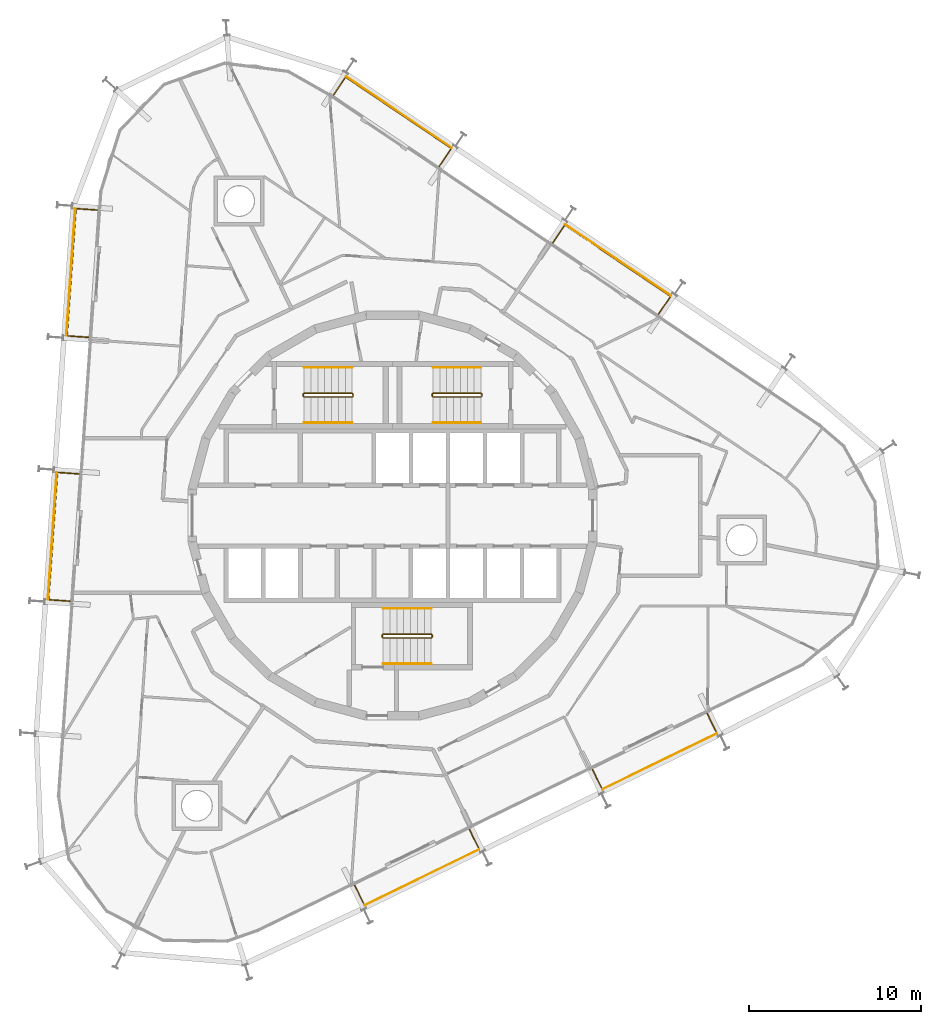
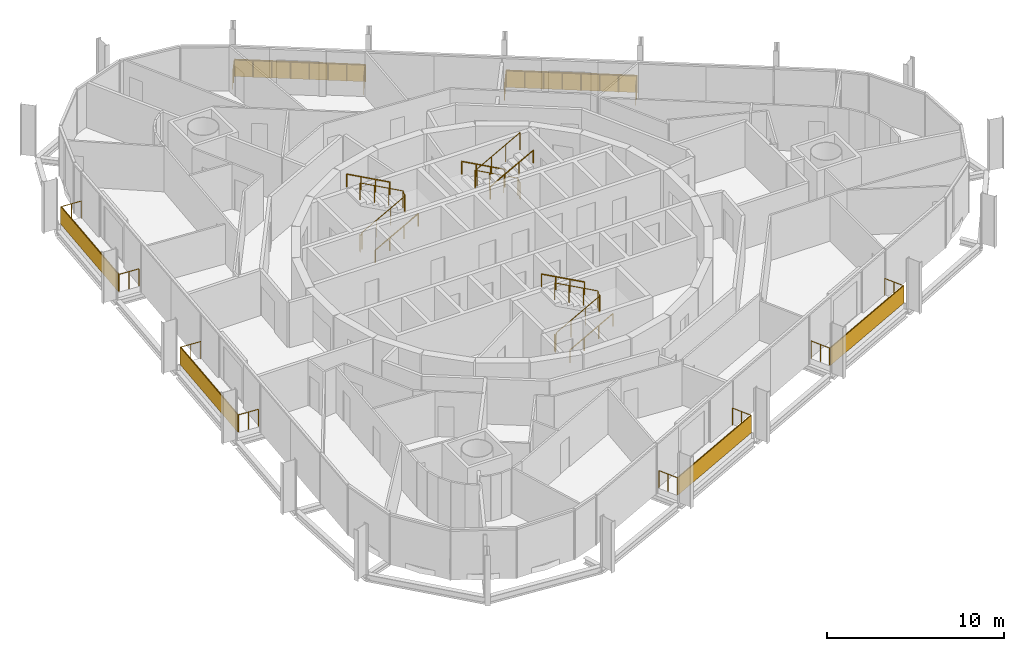
# One storey, part 18 of 18: 15 railings, 6 shading devices.
"""IFC4 building model written with IfcOpenShell, lengths in metres."""

from ifc_helpers import new_model, si_unit, direction, frame, origin, origin_2d, place, context, subcontext, project, spatial, rectangle, circle, extrude, material, layer, layer_set, type_object, element, save


model = new_model("IFC4")

# Units and contexts
model_context = context("Model", 3, precision=1e-05, world=origin(), true_north=direction((0.0, 1.0)))
body_context = subcontext(model_context, "Body", "Model", "MODEL_VIEW")
ifc_project = project(units=[si_unit("LENGTHUNIT", "METRE"), si_unit("AREAUNIT", "SQUARE_METRE"), si_unit("VOLUMEUNIT", "CUBIC_METRE"), si_unit("PLANEANGLEUNIT", "RADIAN"), si_unit("MASSUNIT", "GRAM", prefix="KILO")], contexts=[model_context])

# Site, building, storey
site_placement = place(None, origin())
site = spatial("IfcSite", under=ifc_project, at=site_placement, CompositionType="ELEMENT")
building_placement = place(site_placement, origin())
building = spatial("IfcBuilding", under=site, at=building_placement, Name="Spindle Arch Residences", CompositionType="ELEMENT")
storey_placement = place(building_placement, frame((0.0, 0.0, 195.39990234375)))
storey = spatial("IfcBuildingStorey", under=building, at=storey_placement, Name="L49", CompositionType="ELEMENT", Elevation=195.39990234375)

# Railings
ifc_material_1 = material(Name="Bronze anodised aluminium guard with glass infill", Category="aluminium")
railing_type_1 = type_object("IfcRailingType", Name="Balcony guard 1200", PredefinedType="GUARDRAIL", material=ifc_material_1)
railing_1_placement = place(storey_placement, frame((11.632080078125, -14.76611328125, 0.0)))
element("IfcRailing", 1, at=railing_1_placement, inside=storey, type_object=railing_type_1, Name="Guard L49 bay 1", PredefinedType="GUARDRAIL", context=body_context, shape_type="SweptSolid", body=[
    extrude(circle(Radius=0.02392578125, at=origin_2d()), frame((0.0, 0.0, 1.17578125), z_axis=(0.438362050684, -0.898798482709, 0.0), x_axis=(0.898798482709, 0.438362050684, 0.0)), (0.0, 0.0, 1.0), 1.249755859375),
    extrude(circle(Radius=0.02392578125, at=origin_2d()), frame((0.5478515625, -1.123291015625, 1.17578125), z_axis=(0.898809845561, 0.438338752021, 0.0), x_axis=(-0.438338752021, 0.898809845561, 0.0)), (0.0, 0.0, 1.0), 7.423828125),
    extrude(circle(Radius=0.02392578125, at=origin_2d()), frame((7.220458984375, 2.130859375, 1.17578125), z_axis=(-0.438442870742, 0.898759060647, 0.0), x_axis=(-0.898759060647, -0.438442870742, 0.0)), (0.0, 0.0, 1.0), 1.25),
    extrude(circle(Radius=0.02099609375, at=origin_2d()), origin(), (0.0, 0.0, 1.0), 1.15185546875),
    extrude(circle(Radius=0.02099609375, at=origin_2d()), frame((0.27392578125, -0.5615234375, 0.0)), (0.0, 0.0, 1.0), 1.15185546875),
    extrude(circle(Radius=0.02099609375, at=origin_2d()), frame((0.5478515625, -1.123291015625, 0.0)), (0.0, 0.0, 1.0), 1.15185546875),
    extrude(circle(Radius=0.02099609375, at=origin_2d()), frame((1.5009765625, -0.658447265625, 0.0)), (0.0, 0.0, 1.0), 1.15185546875),
    extrude(circle(Radius=0.02099609375, at=origin_2d()), frame((2.454345703125, -0.193603515625, 0.0)), (0.0, 0.0, 1.0), 1.15185546875),
    extrude(circle(Radius=0.02099609375, at=origin_2d()), frame((3.407470703125, 0.271240234375, 0.0)), (0.0, 0.0, 1.0), 1.15185546875),
    extrude(circle(Radius=0.02099609375, at=origin_2d()), frame((4.36083984375, 0.736328125, 0.0)), (0.0, 0.0, 1.0), 1.15185546875),
    extrude(circle(Radius=0.02099609375, at=origin_2d()), frame((5.31396484375, 1.201171875, 0.0)), (0.0, 0.0, 1.0), 1.15185546875),
    extrude(circle(Radius=0.02099609375, at=origin_2d()), frame((6.267333984375, 1.666015625, 0.0)), (0.0, 0.0, 1.0), 1.15185546875),
    extrude(circle(Radius=0.02099609375, at=origin_2d()), frame((7.220458984375, 2.130859375, 0.0)), (0.0, 0.0, 1.0), 1.15185546875),
    extrude(circle(Radius=0.02099609375, at=origin_2d()), frame((6.9462890625, 2.692626953125, 0.0)), (0.0, 0.0, 1.0), 1.15185546875),
    extrude(circle(Radius=0.02099609375, at=origin_2d()), frame((6.67236328125, 3.25439453125, 0.0)), (0.0, 0.0, 1.0), 1.15185546875),
])
railing_2_placement = place(storey_placement, frame((15.47607421875, 11.72021484375, 0.0)))
element("IfcRailing", 2, at=railing_2_placement, inside=storey, type_object=railing_type_1, Name="Guard L49 bay 7", PredefinedType="GUARDRAIL", context=body_context, shape_type="SweptSolid", body=[
    extrude(circle(Radius=0.02392578125, at=origin_2d()), frame((0.0, 0.0, 1.17578125), z_axis=(0.559288375298, 0.828973167996, 0.0), x_axis=(-0.828973167996, 0.559288375298, 0.0)), (0.0, 0.0, 1.0), 1.250244140625),
    extrude(circle(Radius=0.02392578125, at=origin_2d()), frame((0.69921875, 1.036376953125, 1.17578125), z_axis=(-0.829032773144, 0.559200018824, 0.0), x_axis=(-0.559200018824, -0.829032773144, 0.0)), (0.0, 0.0, 1.0), 7.423828125),
    extrude(circle(Radius=0.02392578125, at=origin_2d()), frame((-5.455322265625, 5.187744140625, 1.17578125), z_axis=(-0.559154156027, -0.829063706718, 0.0), x_axis=(0.829063706718, -0.559154156027, 0.0)), (0.0, 0.0, 1.0), 1.25),
    extrude(circle(Radius=0.02099609375, at=origin_2d()), origin(), (0.0, 0.0, 1.0), 1.15185546875),
    extrude(circle(Radius=0.02099609375, at=origin_2d()), frame((0.349609375, 0.51806640625, 0.0)), (0.0, 0.0, 1.0), 1.15185546875),
    extrude(circle(Radius=0.02099609375, at=origin_2d()), frame((0.69921875, 1.036376953125, 0.0)), (0.0, 0.0, 1.0), 1.15185546875),
    extrude(circle(Radius=0.02099609375, at=origin_2d()), frame((-0.179931640625, 1.62939453125, 0.0)), (0.0, 0.0, 1.0), 1.15185546875),
    extrude(circle(Radius=0.02099609375, at=origin_2d()), frame((-1.059326171875, 2.222412109375, 0.0)), (0.0, 0.0, 1.0), 1.15185546875),
    extrude(circle(Radius=0.02099609375, at=origin_2d()), frame((-1.9384765625, 2.8154296875, 0.0)), (0.0, 0.0, 1.0), 1.15185546875),
    extrude(circle(Radius=0.02099609375, at=origin_2d()), frame((-2.817626953125, 3.40869140625, 0.0)), (0.0, 0.0, 1.0), 1.15185546875),
    extrude(circle(Radius=0.02099609375, at=origin_2d()), frame((-3.69677734375, 4.001708984375, 0.0)), (0.0, 0.0, 1.0), 1.15185546875),
    extrude(circle(Radius=0.02099609375, at=origin_2d()), frame((-4.576171875, 4.5947265625, 0.0)), (0.0, 0.0, 1.0), 1.15185546875),
    extrude(circle(Radius=0.02099609375, at=origin_2d()), frame((-5.455322265625, 5.187744140625, 0.0)), (0.0, 0.0, 1.0), 1.15185546875),
    extrude(circle(Radius=0.02099609375, at=origin_2d()), frame((-5.8046875, 4.66943359375, 0.0)), (0.0, 0.0, 1.0), 1.15185546875),
    extrude(circle(Radius=0.02099609375, at=origin_2d()), frame((-6.154296875, 4.1513671875, 0.0)), (0.0, 0.0, 1.0), 1.15185546875),
])
railing_3_placement = place(storey_placement, frame((2.719482421875, 20.324951171875, 0.0)))
element("IfcRailing", 3, at=railing_3_placement, inside=storey, type_object=railing_type_1, Name="Guard L49 bay 9", PredefinedType="GUARDRAIL", context=body_context, shape_type="SweptSolid", body=[
    extrude(circle(Radius=0.02392578125, at=origin_2d()), frame((0.0, 0.0, 1.17578125), z_axis=(0.559244705098, 0.829002629562, 0.0), x_axis=(-0.829002629562, 0.559244705098, 0.0)), (0.0, 0.0, 1.0), 1.249755859375),
    extrude(circle(Radius=0.02392578125, at=origin_2d()), frame((0.698974609375, 1.0361328125, 1.17578125), z_axis=(-0.829032773144, 0.559200018824, 0.0), x_axis=(-0.559200018824, -0.829032773144, 0.0)), (0.0, 0.0, 1.0), 7.423828125),
    extrude(circle(Radius=0.02392578125, at=origin_2d()), frame((-5.45556640625, 5.1875, 1.17578125), z_axis=(-0.559154156027, -0.829063706718, 0.0), x_axis=(0.829063706718, -0.559154156027, 0.0)), (0.0, 0.0, 1.0), 1.25),
    extrude(circle(Radius=0.02099609375, at=origin_2d()), origin(), (0.0, 0.0, 1.0), 1.15185546875),
    extrude(circle(Radius=0.02099609375, at=origin_2d()), frame((0.349609375, 0.51806640625, 0.0)), (0.0, 0.0, 1.0), 1.15185546875),
    extrude(circle(Radius=0.02099609375, at=origin_2d()), frame((0.698974609375, 1.0361328125, 0.0)), (0.0, 0.0, 1.0), 1.15185546875),
    extrude(circle(Radius=0.02099609375, at=origin_2d()), frame((-0.18017578125, 1.629150390625, 0.0)), (0.0, 0.0, 1.0), 1.15185546875),
    extrude(circle(Radius=0.02099609375, at=origin_2d()), frame((-1.0595703125, 2.22216796875, 0.0)), (0.0, 0.0, 1.0), 1.15185546875),
    extrude(circle(Radius=0.02099609375, at=origin_2d()), frame((-1.938720703125, 2.815185546875, 0.0)), (0.0, 0.0, 1.0), 1.15185546875),
    extrude(circle(Radius=0.02099609375, at=origin_2d()), frame((-2.81787109375, 3.408447265625, 0.0)), (0.0, 0.0, 1.0), 1.15185546875),
    extrude(circle(Radius=0.02099609375, at=origin_2d()), frame((-3.697021484375, 4.00146484375, 0.0)), (0.0, 0.0, 1.0), 1.15185546875),
    extrude(circle(Radius=0.02099609375, at=origin_2d()), frame((-4.576416015625, 4.594482421875, 0.0)), (0.0, 0.0, 1.0), 1.15185546875),
    extrude(circle(Radius=0.02099609375, at=origin_2d()), frame((-5.45556640625, 5.1875, 0.0)), (0.0, 0.0, 1.0), 1.15185546875),
    extrude(circle(Radius=0.02099609375, at=origin_2d()), frame((-5.80517578125, 4.66943359375, 0.0)), (0.0, 0.0, 1.0), 1.15185546875),
    extrude(circle(Radius=0.02099609375, at=origin_2d()), frame((-6.154541015625, 4.151123046875, 0.0)), (0.0, 0.0, 1.0), 1.15185546875),
])
railing_4_placement = place(storey_placement, frame((-17.172607421875, 17.77587890625, 0.0)))
element("IfcRailing", 4, at=railing_4_placement, inside=storey, type_object=railing_type_1, Name="Guard L49 bay 13", PredefinedType="GUARDRAIL", context=body_context, shape_type="SweptSolid", body=[
    extrude(circle(Radius=0.02392578125, at=origin_2d()), frame((0.0, 0.0, 1.17578125), z_axis=(-0.997566579437, 0.069720295391, 0.0), x_axis=(-0.069720295391, -0.997566579437, 0.0)), (0.0, 0.0, 1.0), 1.25),
    extrude(circle(Radius=0.02392578125, at=origin_2d()), frame((-1.2470703125, 0.087158203125, 1.17578125), z_axis=(-0.069753528744, -0.99756425619, 0.0), x_axis=(0.99756425619, -0.069753528744, 0.0)), (0.0, 0.0, 1.0), 7.423583984375),
    extrude(circle(Radius=0.02392578125, at=origin_2d()), frame((-1.764892578125, -7.318359375, 1.17578125), z_axis=(0.997566579437, -0.069720295391, 0.0), x_axis=(0.069720295391, 0.997566579437, 0.0)), (0.0, 0.0, 1.0), 1.25),
    extrude(circle(Radius=0.02099609375, at=origin_2d()), origin(), (0.0, 0.0, 1.0), 1.15185546875),
    extrude(circle(Radius=0.02099609375, at=origin_2d()), frame((-0.62353515625, 0.04345703125, 0.0)), (0.0, 0.0, 1.0), 1.15185546875),
    extrude(circle(Radius=0.02099609375, at=origin_2d()), frame((-1.2470703125, 0.087158203125, 0.0)), (0.0, 0.0, 1.0), 1.15185546875),
    extrude(circle(Radius=0.02099609375, at=origin_2d()), frame((-1.321044921875, -0.970703125, 0.0)), (0.0, 0.0, 1.0), 1.15185546875),
    extrude(circle(Radius=0.02099609375, at=origin_2d()), frame((-1.39501953125, -2.02880859375, 0.0)), (0.0, 0.0, 1.0), 1.15185546875),
    extrude(circle(Radius=0.02099609375, at=origin_2d()), frame((-1.468994140625, -3.086669921875, 0.0)), (0.0, 0.0, 1.0), 1.15185546875),
    extrude(circle(Radius=0.02099609375, at=origin_2d()), frame((-1.54296875, -4.14453125, 0.0)), (0.0, 0.0, 1.0), 1.15185546875),
    extrude(circle(Radius=0.02099609375, at=origin_2d()), frame((-1.616943359375, -5.202392578125, 0.0)), (0.0, 0.0, 1.0), 1.15185546875),
    extrude(circle(Radius=0.02099609375, at=origin_2d()), frame((-1.69091796875, -6.260498046875, 0.0)), (0.0, 0.0, 1.0), 1.15185546875),
    extrude(circle(Radius=0.02099609375, at=origin_2d()), frame((-1.764892578125, -7.318359375, 0.0)), (0.0, 0.0, 1.0), 1.15185546875),
    extrude(circle(Radius=0.02099609375, at=origin_2d()), frame((-1.141357421875, -7.36181640625, 0.0)), (0.0, 0.0, 1.0), 1.15185546875),
    extrude(circle(Radius=0.02099609375, at=origin_2d()), frame((-0.517822265625, -7.405517578125, 0.0)), (0.0, 0.0, 1.0), 1.15185546875),
])
railing_5_placement = place(storey_placement, frame((-18.24609375, 2.426025390625, 0.0)))
element("IfcRailing", 5, at=railing_5_placement, inside=storey, type_object=railing_type_1, Name="Guard L49 bay 15", PredefinedType="GUARDRAIL", context=body_context, shape_type="SweptSolid", body=[
    extrude(circle(Radius=0.02392578125, at=origin_2d()), frame((0.0, 0.0, 1.17578125), z_axis=(-0.997565629847, 0.069733880919, 0.0), x_axis=(-0.069733880919, -0.997565629847, 0.0)), (0.0, 0.0, 1.0), 1.249755859375),
    extrude(circle(Radius=0.02392578125, at=origin_2d()), frame((-1.246826171875, 0.087158203125, 1.17578125), z_axis=(-0.069751240415, -0.997564416196, 0.0), x_axis=(0.997564416196, -0.069751240415, 0.0)), (0.0, 0.0, 1.0), 7.423828125),
    extrude(circle(Radius=0.02392578125, at=origin_2d()), frame((-1.7646484375, -7.318603515625, 1.17578125), z_axis=(0.997565629847, -0.069733880919, 0.0), x_axis=(0.069733880919, 0.997565629847, 0.0)), (0.0, 0.0, 1.0), 1.249755859375),
    extrude(circle(Radius=0.02099609375, at=origin_2d()), origin(), (0.0, 0.0, 1.0), 1.15185546875),
    extrude(circle(Radius=0.02099609375, at=origin_2d()), frame((-0.62353515625, 0.04345703125, 0.0)), (0.0, 0.0, 1.0), 1.15185546875),
    extrude(circle(Radius=0.02099609375, at=origin_2d()), frame((-1.246826171875, 0.087158203125, 0.0)), (0.0, 0.0, 1.0), 1.15185546875),
    extrude(circle(Radius=0.02099609375, at=origin_2d()), frame((-1.32080078125, -0.970703125, 0.0)), (0.0, 0.0, 1.0), 1.15185546875),
    extrude(circle(Radius=0.02099609375, at=origin_2d()), frame((-1.394775390625, -2.02880859375, 0.0)), (0.0, 0.0, 1.0), 1.15185546875),
    extrude(circle(Radius=0.02099609375, at=origin_2d()), frame((-1.46875, -3.086669921875, 0.0)), (0.0, 0.0, 1.0), 1.15185546875),
    extrude(circle(Radius=0.02099609375, at=origin_2d()), frame((-1.542724609375, -4.144775390625, 0.0)), (0.0, 0.0, 1.0), 1.15185546875),
    extrude(circle(Radius=0.02099609375, at=origin_2d()), frame((-1.61669921875, -5.20263671875, 0.0)), (0.0, 0.0, 1.0), 1.15185546875),
    extrude(circle(Radius=0.02099609375, at=origin_2d()), frame((-1.690673828125, -6.2607421875, 0.0)), (0.0, 0.0, 1.0), 1.15185546875),
    extrude(circle(Radius=0.02099609375, at=origin_2d()), frame((-1.7646484375, -7.318603515625, 0.0)), (0.0, 0.0, 1.0), 1.15185546875),
    extrude(circle(Radius=0.02099609375, at=origin_2d()), frame((-1.14111328125, -7.3623046875, 0.0)), (0.0, 0.0, 1.0), 1.15185546875),
    extrude(circle(Radius=0.02099609375, at=origin_2d()), frame((-0.517822265625, -7.40576171875, 0.0)), (0.0, 0.0, 1.0), 1.15185546875),
])
railing_6_placement = place(storey_placement, frame((-2.197998046875, -21.511474609375, 0.0)))
element("IfcRailing", 6, at=railing_6_placement, inside=storey, type_object=railing_type_1, Name="Guard L49 bay 21", PredefinedType="GUARDRAIL", context=body_context, shape_type="SweptSolid", body=[
    extrude(circle(Radius=0.02392578125, at=origin_2d()), frame((0.0, 0.0, 1.17578125), z_axis=(0.438285095444, -0.898836011245, 0.0), x_axis=(0.898836011245, 0.438285095444, 0.0)), (0.0, 0.0, 1.0), 1.25),
    extrude(circle(Radius=0.02392578125, at=origin_2d()), frame((0.5478515625, -1.12353515625, 1.17578125), z_axis=(0.898790569069, 0.438378276096, 0.0), x_axis=(-0.438378276096, 0.898790569069, 0.0)), (0.0, 0.0, 1.0), 7.423828125),
    extrude(circle(Radius=0.02392578125, at=origin_2d()), frame((7.22021484375, 2.130859375, 1.17578125), z_axis=(-0.438285095444, 0.898836011245, 0.0), x_axis=(-0.898836011245, -0.438285095444, 0.0)), (0.0, 0.0, 1.0), 1.25),
    extrude(circle(Radius=0.02099609375, at=origin_2d()), origin(), (0.0, 0.0, 1.0), 1.15185546875),
    extrude(circle(Radius=0.02099609375, at=origin_2d()), frame((0.27392578125, -0.561767578125, 0.0)), (0.0, 0.0, 1.0), 1.15185546875),
    extrude(circle(Radius=0.02099609375, at=origin_2d()), frame((0.5478515625, -1.12353515625, 0.0)), (0.0, 0.0, 1.0), 1.15185546875),
    extrude(circle(Radius=0.02099609375, at=origin_2d()), frame((1.5009765625, -0.65869140625, 0.0)), (0.0, 0.0, 1.0), 1.15185546875),
    extrude(circle(Radius=0.02099609375, at=origin_2d()), frame((2.454345703125, -0.193603515625, 0.0)), (0.0, 0.0, 1.0), 1.15185546875),
    extrude(circle(Radius=0.02099609375, at=origin_2d()), frame((3.407470703125, 0.271240234375, 0.0)), (0.0, 0.0, 1.0), 1.15185546875),
    extrude(circle(Radius=0.02099609375, at=origin_2d()), frame((4.360595703125, 0.736083984375, 0.0)), (0.0, 0.0, 1.0), 1.15185546875),
    extrude(circle(Radius=0.02099609375, at=origin_2d()), frame((5.313720703125, 1.200927734375, 0.0)), (0.0, 0.0, 1.0), 1.15185546875),
    extrude(circle(Radius=0.02099609375, at=origin_2d()), frame((6.26708984375, 1.666015625, 0.0)), (0.0, 0.0, 1.0), 1.15185546875),
    extrude(circle(Radius=0.02099609375, at=origin_2d()), frame((7.22021484375, 2.130859375, 0.0)), (0.0, 0.0, 1.0), 1.15185546875),
    extrude(circle(Radius=0.02099609375, at=origin_2d()), frame((6.9462890625, 2.692626953125, 0.0)), (0.0, 0.0, 1.0), 1.15185546875),
    extrude(circle(Radius=0.02099609375, at=origin_2d()), frame((6.67236328125, 3.25439453125, 0.0)), (0.0, 0.0, 1.0), 1.15185546875),
])

# Shading devices
ifc_material_2 = material(Name="Bronze perforated cobogo screen")
ifc_layer = layer(ifc_material_2, 0.0390625)
ifc_layer_set = layer_set([ifc_layer], Name="Cobogo screen 1200")
shading_device_type = type_object("IfcShadingDeviceType", Name="Cobogo screen 1200", PredefinedType="USERDEFINED", material=ifc_layer_set)
for number, where, z_axis, x_axis, name in (
    (7, (15.533935546875, -14.298828125, 0.0), (0.0, 0.0, 1.0), (0.898794046299, 0.438371146789, 0.0), "Cobogo screen L49 bay 1"),
    (8, (13.12060546875, 14.86572265625, 0.0), (0.0, 0.0, 1.0), (-0.829037572555, 0.559192903471, 0.0), "Cobogo screen L49 bay 7"),
    (9, (0.36376953125, 23.470458984375, 0.0), (0.0, 0.0, 1.0), (-0.829037572555, 0.559192903471, 0.0), "Cobogo screen L49 bay 9"),
    (10, (-18.718994140625, 14.1630859375, 0.0), (0.0, 0.0, 1.0), (-0.069756473744, -0.99756405026, 0.0), "Cobogo screen L49 bay 13"),
    (11, (-19.792236328125, -1.186767578125, 0.0), (0.0, 0.0, 1.0), (-0.069756473744, -0.99756405026, 0.0), "Cobogo screen L49 bay 15"),
    (12, (1.703857421875, -21.044189453125, 0.0), (0.0, 0.0, 1.0), (0.898794046299, 0.438371146789, 0.0), "Cobogo screen L49 bay 21"),
):
    element("IfcShadingDevice", number, at=place(storey_placement, frame(where, z_axis=z_axis, x_axis=x_axis)), inside=storey, type_object=shading_device_type, Name=name, ObjectType="SCREEN", PredefinedType="USERDEFINED", context=body_context, shape_type="SweptSolid", body=[
        extrude(rectangle(XDim=7.423828125, YDim=0.0390625, at=origin_2d()), origin(), (0.0, 0.0, 1.0), 1.199951171875),
    ])

# Railings
ifc_material_3 = material(Name="Steel, painted", Category="steel")
railing_type_2 = type_object("IfcRailingType", Name="Stair guard 1100", PredefinedType="GUARDRAIL", material=ifc_material_3)
railing_7_placement = place(storey_placement, frame((5.14990234375, 6.89990234375, 3.5)))
element("IfcRailing", 13, at=railing_7_placement, inside=storey, type_object=railing_type_2, Name="L49 ST1 stair guard 1", PredefinedType="GUARDRAIL", context=body_context, shape_type="SweptSolid", body=[
    extrude(circle(Radius=0.02392578125, at=origin_2d()), frame((0.0, 0.0, 1.17578125), z_axis=(-0.877357048833, 0.0, -0.479838106931), x_axis=(0.0, -1.0, 0.0)), (0.0, 0.0, 1.0), 3.191162109375),
    extrude(circle(Radius=0.02392578125, at=origin_2d()), frame((-2.7998046875, 0.0, -0.35546875), z_axis=(-0.217683172539, 0.217683172539, -0.951434744366), x_axis=(-0.707106781187, -0.707106781187, 0.0)), (0.0, 0.0, 1.0), 0.22998046875),
    extrude(circle(Radius=0.02392578125, at=origin_2d()), frame((-2.849853515625, 0.050048828125, -0.57421875), z_axis=(0.0, 1.0, 0.0), x_axis=(-1.0, 0.0, 0.0)), (0.0, 0.0, 1.0), 0.1201171875),
    extrude(circle(Radius=0.02392578125, at=origin_2d()), frame((-2.849853515625, 0.170166015625, -0.57421875), z_axis=(0.707106781187, 0.707106781187, 0.0), x_axis=(-0.707106781187, 0.707106781187, 0.0)), (0.0, 0.0, 1.0), 0.07080078125),
    extrude(circle(Radius=0.02392578125, at=origin_2d()), frame((-2.7998046875, 0.22021484375, -0.57421875), z_axis=(0.877357048833, 0.0, -0.479838106931), x_axis=(0.0, 1.0, 0.0)), (0.0, 0.0, 1.0), 3.191162109375),
    extrude(circle(Radius=0.02392578125, at=origin_2d()), frame((0.0, 0.22021484375, -2.10546875), z_axis=(0.217683172539, -0.217683172539, -0.951434744366), x_axis=(0.707106781187, 0.707106781187, 0.0)), (0.0, 0.0, 1.0), 0.22998046875),
    extrude(circle(Radius=0.02392578125, at=origin_2d()), frame((0.050048828125, 0.170166015625, -2.32421875), z_axis=(0.0, -1.0, 0.0), x_axis=(1.0, 0.0, 0.0)), (0.0, 0.0, 1.0), 0.1201171875),
    extrude(circle(Radius=0.02099609375, at=origin_2d()), origin(), (0.0, 0.0, 1.0), 1.15185546875),
    extrude(circle(Radius=0.02099609375, at=origin_2d()), frame((-0.933349609375, 0.0, -0.510498046875)), (0.0, 0.0, 1.0), 1.15185546875),
    extrude(circle(Radius=0.02099609375, at=origin_2d()), frame((-1.866455078125, 0.0, -1.020751953125)), (0.0, 0.0, 1.0), 1.15185546875),
    extrude(circle(Radius=0.02099609375, at=origin_2d()), frame((-2.7998046875, 0.0, -1.53125)), (0.0, 0.0, 1.0), 1.15185546875),
    extrude(circle(Radius=0.02099609375, at=origin_2d()), frame((-2.849853515625, 0.050048828125, -1.75)), (0.0, 0.0, 1.0), 1.15185546875),
    extrude(circle(Radius=0.02099609375, at=origin_2d()), frame((-2.849853515625, 0.170166015625, -1.75)), (0.0, 0.0, 1.0), 1.15185546875),
    extrude(circle(Radius=0.02099609375, at=origin_2d()), frame((-2.7998046875, 0.22021484375, -1.75)), (0.0, 0.0, 1.0), 1.15185546875),
    extrude(circle(Radius=0.02099609375, at=origin_2d()), frame((-1.866455078125, 0.22021484375, -2.260498046875)), (0.0, 0.0, 1.0), 1.15185546875),
    extrude(circle(Radius=0.02099609375, at=origin_2d()), frame((-0.933349609375, 0.22021484375, -2.770751953125)), (0.0, 0.0, 1.0), 1.15185546875),
    extrude(circle(Radius=0.02099609375, at=origin_2d()), frame((0.0, 0.22021484375, -3.28125)), (0.0, 0.0, 1.0), 1.15185546875),
    extrude(circle(Radius=0.02099609375, at=origin_2d()), frame((0.050048828125, 0.170166015625, -3.5)), (0.0, 0.0, 1.0), 1.15185546875),
    extrude(circle(Radius=0.02099609375, at=origin_2d()), frame((0.050048828125, 0.050048828125, -3.5)), (0.0, 0.0, 1.0), 1.15185546875),
])
railing_8_placement = place(storey_placement, frame((-5.14990234375, 7.1201171875, 3.5)))
element("IfcRailing", 14, at=railing_8_placement, inside=storey, type_object=railing_type_2, Name="L49 ST2 stair guard 1", PredefinedType="GUARDRAIL", context=body_context, shape_type="SweptSolid", body=[
    extrude(circle(Radius=0.02392578125, at=origin_2d()), frame((0.0, 0.0, 1.17578125), z_axis=(0.877357048833, 0.0, -0.479838106931), x_axis=(0.0, 1.0, 0.0)), (0.0, 0.0, 1.0), 3.191162109375),
    extrude(circle(Radius=0.02392578125, at=origin_2d()), frame((2.7998046875, 0.0, -0.35546875), z_axis=(0.217683172539, -0.217683172539, -0.951434744366), x_axis=(0.707106781187, 0.707106781187, 0.0)), (0.0, 0.0, 1.0), 0.22998046875),
    extrude(circle(Radius=0.02392578125, at=origin_2d()), frame((2.849853515625, -0.050048828125, -0.57421875), z_axis=(0.0, -1.0, 0.0), x_axis=(1.0, 0.0, 0.0)), (0.0, 0.0, 1.0), 0.1201171875),
    extrude(circle(Radius=0.02392578125, at=origin_2d()), frame((2.849853515625, -0.170166015625, -0.57421875), z_axis=(-0.707106781187, -0.707106781187, 0.0), x_axis=(0.707106781187, -0.707106781187, 0.0)), (0.0, 0.0, 1.0), 0.07080078125),
    extrude(circle(Radius=0.02392578125, at=origin_2d()), frame((2.7998046875, -0.22021484375, -0.57421875), z_axis=(-0.877357048833, 0.0, -0.479838106931), x_axis=(0.0, -1.0, 0.0)), (0.0, 0.0, 1.0), 3.191162109375),
    extrude(circle(Radius=0.02392578125, at=origin_2d()), frame((0.0, -0.22021484375, -2.10546875), z_axis=(-0.217683172539, 0.217683172539, -0.951434744366), x_axis=(-0.707106781187, -0.707106781187, 0.0)), (0.0, 0.0, 1.0), 0.22998046875),
    extrude(circle(Radius=0.02392578125, at=origin_2d()), frame((-0.050048828125, -0.170166015625, -2.32421875), z_axis=(0.0, 1.0, 0.0), x_axis=(-1.0, 0.0, 0.0)), (0.0, 0.0, 1.0), 0.1201171875),
    extrude(circle(Radius=0.02099609375, at=origin_2d()), origin(), (0.0, 0.0, 1.0), 1.15185546875),
    extrude(circle(Radius=0.02099609375, at=origin_2d()), frame((0.933349609375, 0.0, -0.510498046875)), (0.0, 0.0, 1.0), 1.15185546875),
    extrude(circle(Radius=0.02099609375, at=origin_2d()), frame((1.866455078125, 0.0, -1.020751953125)), (0.0, 0.0, 1.0), 1.15185546875),
    extrude(circle(Radius=0.02099609375, at=origin_2d()), frame((2.7998046875, 0.0, -1.53125)), (0.0, 0.0, 1.0), 1.15185546875),
    extrude(circle(Radius=0.02099609375, at=origin_2d()), frame((2.849853515625, -0.050048828125, -1.75)), (0.0, 0.0, 1.0), 1.15185546875),
    extrude(circle(Radius=0.02099609375, at=origin_2d()), frame((2.849853515625, -0.170166015625, -1.75)), (0.0, 0.0, 1.0), 1.15185546875),
    extrude(circle(Radius=0.02099609375, at=origin_2d()), frame((2.7998046875, -0.22021484375, -1.75)), (0.0, 0.0, 1.0), 1.15185546875),
    extrude(circle(Radius=0.02099609375, at=origin_2d()), frame((1.866455078125, -0.22021484375, -2.260498046875)), (0.0, 0.0, 1.0), 1.15185546875),
    extrude(circle(Radius=0.02099609375, at=origin_2d()), frame((0.933349609375, -0.22021484375, -2.770751953125)), (0.0, 0.0, 1.0), 1.15185546875),
    extrude(circle(Radius=0.02099609375, at=origin_2d()), frame((0.0, -0.22021484375, -3.28125)), (0.0, 0.0, 1.0), 1.15185546875),
    extrude(circle(Radius=0.02099609375, at=origin_2d()), frame((-0.050048828125, -0.170166015625, -3.5)), (0.0, 0.0, 1.0), 1.15185546875),
    extrude(circle(Radius=0.02099609375, at=origin_2d()), frame((-0.050048828125, -0.050048828125, -3.5)), (0.0, 0.0, 1.0), 1.15185546875),
])
railing_9_placement = place(storey_placement, frame((-0.550048828125, -6.89990234375, 3.5)))
element("IfcRailing", 15, at=railing_9_placement, inside=storey, type_object=railing_type_2, Name="L49 ST3 stair guard 1", PredefinedType="GUARDRAIL", context=body_context, shape_type="SweptSolid", body=[
    extrude(circle(Radius=0.02392578125, at=origin_2d()), frame((0.0, 0.0, 1.17578125), z_axis=(0.877374661878, 0.0, -0.479805901063), x_axis=(0.0, 1.0, 0.0)), (0.0, 0.0, 1.0), 3.19140625),
    extrude(circle(Radius=0.02392578125, at=origin_2d()), frame((2.800048828125, 0.0, -0.35546875), z_axis=(0.217683172539, -0.217683172539, -0.951434744366), x_axis=(0.707106781187, 0.707106781187, 0.0)), (0.0, 0.0, 1.0), 0.22998046875),
    extrude(circle(Radius=0.02392578125, at=origin_2d()), frame((2.85009765625, -0.050048828125, -0.57421875), z_axis=(0.0, -1.0, 0.0), x_axis=(1.0, 0.0, 0.0)), (0.0, 0.0, 1.0), 0.1201171875),
    extrude(circle(Radius=0.02392578125, at=origin_2d()), frame((2.85009765625, -0.170166015625, -0.57421875), z_axis=(-0.707106781187, -0.707106781187, 0.0), x_axis=(0.707106781187, -0.707106781187, 0.0)), (0.0, 0.0, 1.0), 0.07080078125),
    extrude(circle(Radius=0.02392578125, at=origin_2d()), frame((2.800048828125, -0.22021484375, -0.57421875), z_axis=(-0.877374661878, 0.0, -0.479805901063), x_axis=(0.0, -1.0, 0.0)), (0.0, 0.0, 1.0), 3.19140625),
    extrude(circle(Radius=0.02392578125, at=origin_2d()), frame((0.0, -0.22021484375, -2.10546875), z_axis=(-0.217683172539, 0.217683172539, -0.951434744366), x_axis=(-0.707106781187, -0.707106781187, 0.0)), (0.0, 0.0, 1.0), 0.22998046875),
    extrude(circle(Radius=0.02392578125, at=origin_2d()), frame((-0.050048828125, -0.170166015625, -2.32421875), z_axis=(0.0, 1.0, 0.0), x_axis=(-1.0, 0.0, 0.0)), (0.0, 0.0, 1.0), 0.1201171875),
    extrude(circle(Radius=0.02099609375, at=origin_2d()), origin(), (0.0, 0.0, 1.0), 1.15185546875),
    extrude(circle(Radius=0.02099609375, at=origin_2d()), frame((0.933349609375, 0.0, -0.510498046875)), (0.0, 0.0, 1.0), 1.15185546875),
    extrude(circle(Radius=0.02099609375, at=origin_2d()), frame((1.86669921875, 0.0, -1.020751953125)), (0.0, 0.0, 1.0), 1.15185546875),
    extrude(circle(Radius=0.02099609375, at=origin_2d()), frame((2.800048828125, 0.0, -1.53125)), (0.0, 0.0, 1.0), 1.15185546875),
    extrude(circle(Radius=0.02099609375, at=origin_2d()), frame((2.85009765625, -0.050048828125, -1.75)), (0.0, 0.0, 1.0), 1.15185546875),
    extrude(circle(Radius=0.02099609375, at=origin_2d()), frame((2.85009765625, -0.170166015625, -1.75)), (0.0, 0.0, 1.0), 1.15185546875),
    extrude(circle(Radius=0.02099609375, at=origin_2d()), frame((2.800048828125, -0.22021484375, -1.75)), (0.0, 0.0, 1.0), 1.15185546875),
    extrude(circle(Radius=0.02099609375, at=origin_2d()), frame((1.86669921875, -0.22021484375, -2.260498046875)), (0.0, 0.0, 1.0), 1.15185546875),
    extrude(circle(Radius=0.02099609375, at=origin_2d()), frame((0.933349609375, -0.22021484375, -2.770751953125)), (0.0, 0.0, 1.0), 1.15185546875),
    extrude(circle(Radius=0.02099609375, at=origin_2d()), frame((0.0, -0.22021484375, -3.28125)), (0.0, 0.0, 1.0), 1.15185546875),
    extrude(circle(Radius=0.02099609375, at=origin_2d()), frame((-0.050048828125, -0.170166015625, -3.5)), (0.0, 0.0, 1.0), 1.15185546875),
    extrude(circle(Radius=0.02099609375, at=origin_2d()), frame((-0.050048828125, -0.050048828125, -3.5)), (0.0, 0.0, 1.0), 1.15185546875),
])
ifc_material_4 = material(Name="Steel, painted", Category="steel")
railing_type_3 = type_object("IfcRailingType", Name="Stair handrail 900", PredefinedType="HANDRAIL", material=ifc_material_4)
railing_10_placement = place(storey_placement, frame((5.14990234375, 8.6201171875, 0.21875)))
element("IfcRailing", 16, at=railing_10_placement, inside=storey, type_object=railing_type_3, Name="L49 ST1 stair handrail 1", PredefinedType="HANDRAIL", context=body_context, shape_type="SweptSolid", body=[
    extrude(circle(Radius=0.02392578125, at=origin_2d()), frame((0.0, 0.0, 0.8759765625), z_axis=(-0.877357048833, 0.0, 0.479838106931), x_axis=(0.0, -1.0, 0.0)), (0.0, 0.0, 1.0), 3.191162109375),
    extrude(circle(Radius=0.02099609375, at=origin_2d()), origin(), (0.0, 0.0, 1.0), 0.851806640625),
    extrude(circle(Radius=0.02099609375, at=origin_2d()), frame((-0.933349609375, 0.0, 0.510498046875)), (0.0, 0.0, 1.0), 0.851806640625),
    extrude(circle(Radius=0.02099609375, at=origin_2d()), frame((-1.866455078125, 0.0, 1.020751953125)), (0.0, 0.0, 1.0), 0.851806640625),
    extrude(circle(Radius=0.02099609375, at=origin_2d()), frame((-2.7998046875, 0.0, 1.53125)), (0.0, 0.0, 1.0), 0.851806640625),
])
for number, where, name in (
    (17, (2.35009765625, 5.39990234375, 1.96875), "L49 ST1 stair handrail 2"),
    (18, (-5.14990234375, 5.39990234375, 0.21875), "L49 ST2 stair handrail 1"),
):
    element("IfcRailing", number, at=place(storey_placement, frame(where)), inside=storey, type_object=railing_type_3, Name=name, PredefinedType="HANDRAIL", context=body_context, shape_type="SweptSolid", body=[
        extrude(circle(Radius=0.02392578125, at=origin_2d()), frame((0.0, 0.0, 0.8759765625), z_axis=(0.877357048833, 0.0, 0.479838106931), x_axis=(0.0, 1.0, 0.0)), (0.0, 0.0, 1.0), 3.191162109375),
        extrude(circle(Radius=0.02099609375, at=origin_2d()), origin(), (0.0, 0.0, 1.0), 0.851806640625),
        extrude(circle(Radius=0.02099609375, at=origin_2d()), frame((0.933349609375, 0.0, 0.510498046875)), (0.0, 0.0, 1.0), 0.851806640625),
        extrude(circle(Radius=0.02099609375, at=origin_2d()), frame((1.866455078125, 0.0, 1.020751953125)), (0.0, 0.0, 1.0), 0.851806640625),
        extrude(circle(Radius=0.02099609375, at=origin_2d()), frame((2.7998046875, 0.0, 1.53125)), (0.0, 0.0, 1.0), 0.851806640625),
    ])
railing_11_placement = place(storey_placement, frame((-2.35009765625, 8.6201171875, 1.96875)))
element("IfcRailing", 19, at=railing_11_placement, inside=storey, type_object=railing_type_3, Name="L49 ST2 stair handrail 2", PredefinedType="HANDRAIL", context=body_context, shape_type="SweptSolid", body=[
    extrude(circle(Radius=0.02392578125, at=origin_2d()), frame((0.0, 0.0, 0.8759765625), z_axis=(-0.877357048833, 0.0, 0.479838106931), x_axis=(0.0, -1.0, 0.0)), (0.0, 0.0, 1.0), 3.191162109375),
    extrude(circle(Radius=0.02099609375, at=origin_2d()), origin(), (0.0, 0.0, 1.0), 0.851806640625),
    extrude(circle(Radius=0.02099609375, at=origin_2d()), frame((-0.933349609375, 0.0, 0.510498046875)), (0.0, 0.0, 1.0), 0.851806640625),
    extrude(circle(Radius=0.02099609375, at=origin_2d()), frame((-1.866455078125, 0.0, 1.020751953125)), (0.0, 0.0, 1.0), 0.851806640625),
    extrude(circle(Radius=0.02099609375, at=origin_2d()), frame((-2.7998046875, 0.0, 1.53125)), (0.0, 0.0, 1.0), 0.851806640625),
])
railing_12_placement = place(storey_placement, frame((-0.550048828125, -8.6201171875, 0.21875)))
element("IfcRailing", 20, at=railing_12_placement, inside=storey, type_object=railing_type_3, Name="L49 ST3 stair handrail 1", PredefinedType="HANDRAIL", context=body_context, shape_type="SweptSolid", body=[
    extrude(circle(Radius=0.02392578125, at=origin_2d()), frame((0.0, 0.0, 0.8759765625), z_axis=(0.877374661878, 0.0, 0.479805901063), x_axis=(0.0, 1.0, 0.0)), (0.0, 0.0, 1.0), 3.19140625),
    extrude(circle(Radius=0.02099609375, at=origin_2d()), origin(), (0.0, 0.0, 1.0), 0.851806640625),
    extrude(circle(Radius=0.02099609375, at=origin_2d()), frame((0.933349609375, 0.0, 0.510498046875)), (0.0, 0.0, 1.0), 0.851806640625),
    extrude(circle(Radius=0.02099609375, at=origin_2d()), frame((1.86669921875, 0.0, 1.020751953125)), (0.0, 0.0, 1.0), 0.851806640625),
    extrude(circle(Radius=0.02099609375, at=origin_2d()), frame((2.800048828125, 0.0, 1.53125)), (0.0, 0.0, 1.0), 0.851806640625),
])
railing_13_placement = place(storey_placement, frame((2.25, -5.39990234375, 1.96875)))
element("IfcRailing", 21, at=railing_13_placement, inside=storey, type_object=railing_type_3, Name="L49 ST3 stair handrail 2", PredefinedType="HANDRAIL", context=body_context, shape_type="SweptSolid", body=[
    extrude(circle(Radius=0.02392578125, at=origin_2d()), frame((0.0, 0.0, 0.8759765625), z_axis=(-0.877374661878, 0.0, 0.479805901063), x_axis=(0.0, -1.0, 0.0)), (0.0, 0.0, 1.0), 3.19140625),
    extrude(circle(Radius=0.02099609375, at=origin_2d()), origin(), (0.0, 0.0, 1.0), 0.851806640625),
    extrude(circle(Radius=0.02099609375, at=origin_2d()), frame((-0.933349609375, 0.0, 0.510498046875)), (0.0, 0.0, 1.0), 0.851806640625),
    extrude(circle(Radius=0.02099609375, at=origin_2d()), frame((-1.86669921875, 0.0, 1.020751953125)), (0.0, 0.0, 1.0), 0.851806640625),
    extrude(circle(Radius=0.02099609375, at=origin_2d()), frame((-2.800048828125, 0.0, 1.53125)), (0.0, 0.0, 1.0), 0.851806640625),
])

save(model, "model.ifc")
